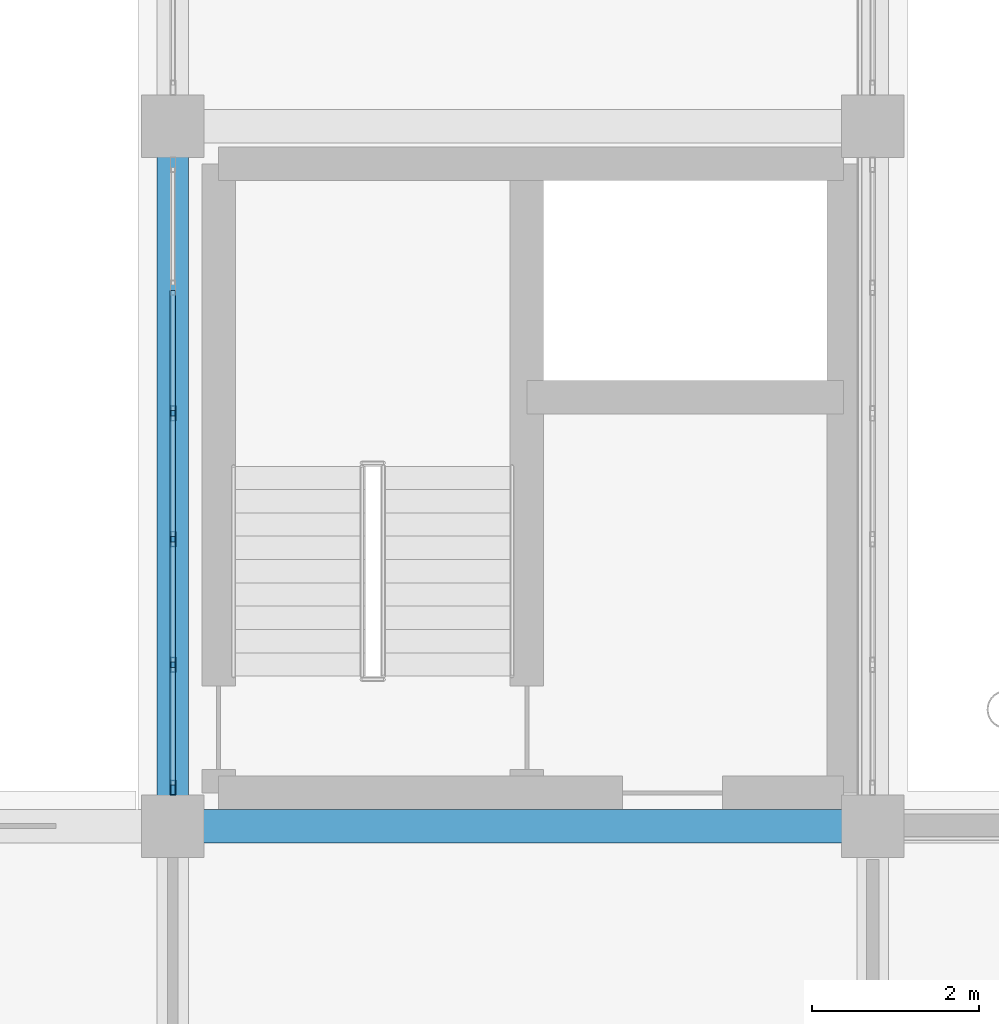
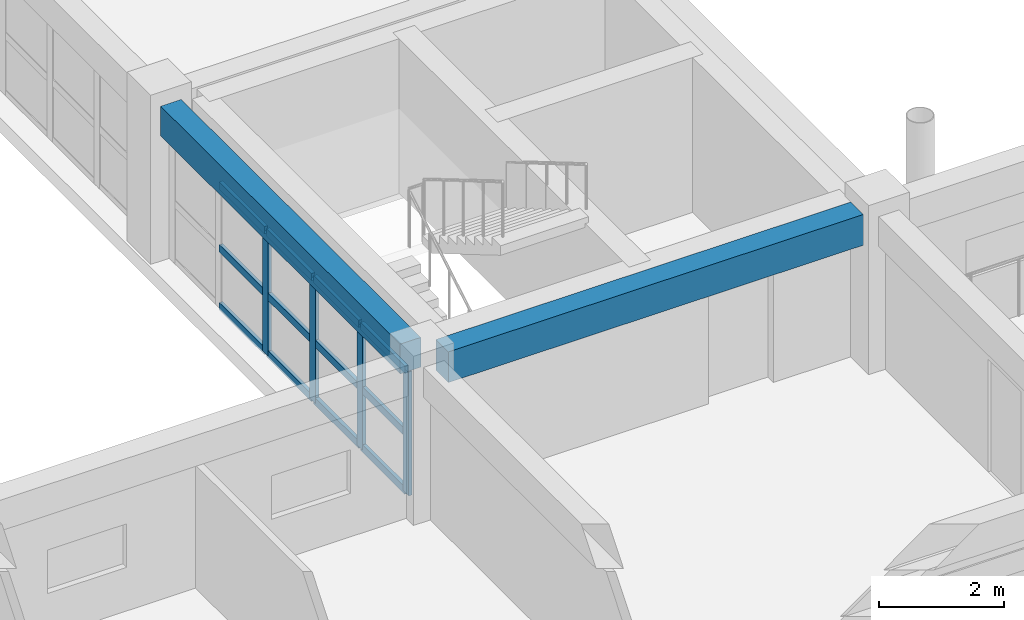
# One storey, part 125 of 200: 16 members, 2 beams, 1 element without a shape of its own.
"""IFC4 building model written with IfcOpenShell, lengths in metres."""

from ifc_helpers import new_model, si_unit, direction, frame, origin, origin_2d, place, context, subcontext, project, spatial, rectangle, hollow_rectangle, extrude, material, layer, layer_set, material_profile, profile_set, type_object, element, aggregate, save


model = new_model("IFC4")

# Units and contexts
model_context = context("Model", 3, precision=1e-05, world=origin(), true_north=direction((0.0, 1.0)))
body_context = subcontext(model_context, "Body", "Model", "MODEL_VIEW")
ifc_project = project(units=[si_unit("LENGTHUNIT", "METRE"), si_unit("AREAUNIT", "SQUARE_METRE"), si_unit("VOLUMEUNIT", "CUBIC_METRE"), si_unit("PLANEANGLEUNIT", "RADIAN"), si_unit("MASSUNIT", "GRAM", prefix="KILO")], contexts=[model_context])

# Site, building, storey
site_placement = place(None, origin())
site = spatial("IfcSite", under=ifc_project, at=site_placement, CompositionType="ELEMENT")
building_placement = place(site_placement, origin())
building = spatial("IfcBuilding", under=site, at=building_placement, Name="Trelvath General Hospital", CompositionType="ELEMENT")
storey_placement = place(building_placement, frame((0.0, 0.0, 4.800048828125)))
storey = spatial("IfcBuildingStorey", under=building, at=storey_placement, Name="L01", CompositionType="ELEMENT", Elevation=4.800048828125)

# Beams
ifc_material_1 = material(Name="Concrete C35/45", Category="concrete")
ifc_material_profile_1 = material_profile(ifc_material_1, rectangle(XDim=0.3798828125, YDim=0.580078125, at=origin_2d()), Name="RCB380x580")
ifc_profile_set_1 = profile_set([ifc_material_profile_1], Name="Concrete C35/45")
beam_type_1 = type_object("IfcBeamType", Name="Beam RC380x580", PredefinedType="BEAM", material=ifc_profile_set_1)
beam_1_placement = place(storey_placement, frame((134.39990234375, 25.570068359375, 2.72998046875), z_axis=(0.0, 1.0, 0.0), x_axis=(-1.0, 0.0, 0.0)))
element("IfcBeam", 1, at=beam_1_placement, inside=storey, type_object=beam_type_1, Name="Grid Beam BY-116D", PredefinedType="BEAM", context=body_context, shape_type="SweptSolid", body=[
    extrude(rectangle(XDim=0.3798828125, YDim=0.580078125, at=origin_2d()), origin(), (0.0, 0.0, 1.0), 7.659912109375),
])
ifc_material_2 = material(Name="Concrete C35/45", Category="concrete")
ifc_material_profile_2 = material_profile(ifc_material_2, rectangle(XDim=0.39990234375, YDim=0.60009765625, at=origin_2d()), Name="RCB400x600")
ifc_profile_set_2 = profile_set([ifc_material_profile_2], Name="Concrete C35/45")
beam_type_2 = type_object("IfcBeamType", Name="Beam RC400x600", PredefinedType="BEAM", material=ifc_profile_set_2)
beam_2_placement = place(storey_placement, frame((134.77001953125, 25.199951171875, 2.719970703125), z_axis=(1.0, 0.0, 0.0), x_axis=(0.0, 1.0, 0.0)))
element("IfcBeam", 2, at=beam_2_placement, inside=storey, type_object=beam_type_2, Name="Grid Beam BX-116D", PredefinedType="BEAM", context=body_context, shape_type="SweptSolid", body=[
    extrude(rectangle(XDim=0.39990234375, YDim=0.60009765625, at=origin_2d()), origin(), (0.0, 0.0, 1.0), 7.659912109375),
])

# Curtain wall, members
ifc_material_3 = material(Name="Anodised aluminium and low-E glass", Category="aluminium")
ifc_layer = layer(ifc_material_3, 0.179931640625)
ifc_layer_set = layer_set([ifc_layer], Name="Anodised aluminium and low-E glass")
curtain_wall_type = type_object("IfcCurtainWallType", Name="CW Facade 754 242 18", PredefinedType="USERDEFINED", material=ifc_layer_set)
curtain_wall_placement = place(storey_placement, origin())
curtain_wall = element("IfcCurtainWall", 3, at=curtain_wall_placement, inside=storey, type_object=curtain_wall_type, Name="Facade Curtain Wall CW-020", ObjectType="Unitised Glazed Curtain Wall", PredefinedType="USERDEFINED")
ifc_material_4 = material(Name="Anodised aluminium", Category="aluminium")
ifc_material_profile_3 = material_profile(ifc_material_4, hollow_rectangle(XDim=0.06494140625, YDim=0.179931640625, WallThickness=0.0048828125, at=origin_2d()), Name="RHS65x180x5")
ifc_profile_set_3 = profile_set([ifc_material_profile_3], Name="Anodised aluminium")
member_type_1 = type_object("IfcMemberType", Name="CurtainMullion 65x180", PredefinedType="MULLION", material=ifc_profile_set_3)
member_1_placement = place(storey_placement, frame((134.39990234375, 25.66259765625, 0.0), z_axis=(0.0, 0.0, 1.0), x_axis=(-1.0, 0.0, 0.0)))
member_1 = element("IfcMember", 4, at=member_1_placement, type_object=member_type_1, Name="CW-020 mullion 1", PredefinedType="MULLION", context=body_context, shape_type="SweptSolid", body=[
    extrude(hollow_rectangle(XDim=0.06494140625, YDim=0.179931640625, WallThickness=0.0048828125, at=origin_2d()), origin(), (0.0, 0.0, 1.0), 2.419921875),
])
member_2_placement = place(storey_placement, frame((134.39990234375, 27.137939453125, 0.0), z_axis=(0.0, 0.0, 1.0), x_axis=(-1.0, 0.0, 0.0)))
member_2 = element("IfcMember", 5, at=member_2_placement, type_object=member_type_1, Name="CW-020 mullion 2", PredefinedType="MULLION", context=body_context, shape_type="SweptSolid", body=[
    extrude(hollow_rectangle(XDim=0.06494140625, YDim=0.179931640625, WallThickness=0.0048828125, at=origin_2d()), origin(), (0.0, 0.0, 1.0), 2.419921875),
])
member_3_placement = place(storey_placement, frame((134.39990234375, 28.64599609375, 0.0), z_axis=(0.0, 0.0, 1.0), x_axis=(-1.0, 0.0, 0.0)))
member_3 = element("IfcMember", 6, at=member_3_placement, type_object=member_type_1, Name="CW-020 mullion 3", PredefinedType="MULLION", context=body_context, shape_type="SweptSolid", body=[
    extrude(hollow_rectangle(XDim=0.06494140625, YDim=0.179931640625, WallThickness=0.0048828125, at=origin_2d()), origin(), (0.0, 0.0, 1.0), 2.419921875),
])
member_4_placement = place(storey_placement, frame((134.39990234375, 30.154052734375, 0.0), z_axis=(0.0, 0.0, 1.0), x_axis=(-1.0, 0.0, 0.0)))
member_4 = element("IfcMember", 7, at=member_4_placement, type_object=member_type_1, Name="CW-020 mullion 4", PredefinedType="MULLION", context=body_context, shape_type="SweptSolid", body=[
    extrude(hollow_rectangle(XDim=0.06494140625, YDim=0.179931640625, WallThickness=0.0048828125, at=origin_2d()), origin(), (0.0, 0.0, 1.0), 2.419921875),
])
ifc_material_5 = material(Name="Anodised aluminium", Category="aluminium")
ifc_material_profile_4 = material_profile(ifc_material_5, hollow_rectangle(XDim=0.06494140625, YDim=0.14501953125, WallThickness=0.00390625, at=origin_2d()), Name="RHS65x145x4")
ifc_profile_set_4 = profile_set([ifc_material_profile_4], Name="Anodised aluminium")
member_type_2 = type_object("IfcMemberType", Name="CurtainTransom 65x145", PredefinedType="USERDEFINED", material=ifc_profile_set_4)
member_5_placement = place(storey_placement, frame((134.39990234375, 25.695068359375, 0.032470703125), z_axis=(0.0, 1.0, 0.0), x_axis=(-1.0, 0.0, 0.0)))
member_5 = element("IfcMember", 8, at=member_5_placement, type_object=member_type_2, Name="CW-020 transom 1.1", ObjectType="TRANSOM", PredefinedType="USERDEFINED", context=body_context, shape_type="SweptSolid", body=[
    extrude(hollow_rectangle(XDim=0.06494140625, YDim=0.14501953125, WallThickness=0.00390625, at=origin_2d()), origin(), (0.0, 0.0, 1.0), 1.410400390625),
])
member_6_placement = place(storey_placement, frame((134.39990234375, 25.695068359375, 1.161865234375), z_axis=(0.0, 1.0, 0.0), x_axis=(-1.0, 0.0, 0.0)))
member_6 = element("IfcMember", 9, at=member_6_placement, type_object=member_type_2, Name="CW-020 transom 1.2", ObjectType="TRANSOM", PredefinedType="USERDEFINED", context=body_context, shape_type="SweptSolid", body=[
    extrude(hollow_rectangle(XDim=0.06494140625, YDim=0.14501953125, WallThickness=0.00390625, at=origin_2d()), origin(), (0.0, 0.0, 1.0), 1.410400390625),
])
member_7_placement = place(storey_placement, frame((134.39990234375, 25.695068359375, 2.387451171875), z_axis=(0.0, 1.0, 0.0), x_axis=(-1.0, 0.0, 0.0)))
member_7 = element("IfcMember", 10, at=member_7_placement, type_object=member_type_2, Name="CW-020 transom 1.3", ObjectType="TRANSOM", PredefinedType="USERDEFINED", context=body_context, shape_type="SweptSolid", body=[
    extrude(hollow_rectangle(XDim=0.06494140625, YDim=0.14501953125, WallThickness=0.00390625, at=origin_2d()), origin(), (0.0, 0.0, 1.0), 1.410400390625),
])
member_8_placement = place(storey_placement, frame((134.39990234375, 27.17041015625, 0.032470703125), z_axis=(0.0, 1.0, 0.0), x_axis=(-1.0, 0.0, 0.0)))
member_8 = element("IfcMember", 11, at=member_8_placement, type_object=member_type_2, Name="CW-020 transom 2.1", ObjectType="TRANSOM", PredefinedType="USERDEFINED", context=body_context, shape_type="SweptSolid", body=[
    extrude(hollow_rectangle(XDim=0.06494140625, YDim=0.14501953125, WallThickness=0.00390625, at=origin_2d()), origin(), (0.0, 0.0, 1.0), 1.443115234375),
])
member_9_placement = place(storey_placement, frame((134.39990234375, 27.17041015625, 1.161865234375), z_axis=(0.0, 1.0, 0.0), x_axis=(-1.0, 0.0, 0.0)))
member_9 = element("IfcMember", 12, at=member_9_placement, type_object=member_type_2, Name="CW-020 transom 2.2", ObjectType="TRANSOM", PredefinedType="USERDEFINED", context=body_context, shape_type="SweptSolid", body=[
    extrude(hollow_rectangle(XDim=0.06494140625, YDim=0.14501953125, WallThickness=0.00390625, at=origin_2d()), origin(), (0.0, 0.0, 1.0), 1.443115234375),
])
member_10_placement = place(storey_placement, frame((134.39990234375, 27.17041015625, 2.387451171875), z_axis=(0.0, 1.0, 0.0), x_axis=(-1.0, 0.0, 0.0)))
member_10 = element("IfcMember", 13, at=member_10_placement, type_object=member_type_2, Name="CW-020 transom 2.3", ObjectType="TRANSOM", PredefinedType="USERDEFINED", context=body_context, shape_type="SweptSolid", body=[
    extrude(hollow_rectangle(XDim=0.06494140625, YDim=0.14501953125, WallThickness=0.00390625, at=origin_2d()), origin(), (0.0, 0.0, 1.0), 1.443115234375),
])
member_11_placement = place(storey_placement, frame((134.39990234375, 28.678466796875, 0.032470703125), z_axis=(0.0, 1.0, 0.0), x_axis=(-1.0, 0.0, 0.0)))
member_11 = element("IfcMember", 14, at=member_11_placement, type_object=member_type_2, Name="CW-020 transom 3.1", ObjectType="TRANSOM", PredefinedType="USERDEFINED", context=body_context, shape_type="SweptSolid", body=[
    extrude(hollow_rectangle(XDim=0.06494140625, YDim=0.14501953125, WallThickness=0.00390625, at=origin_2d()), origin(), (0.0, 0.0, 1.0), 1.443115234375),
])
member_12_placement = place(storey_placement, frame((134.39990234375, 28.678466796875, 1.161865234375), z_axis=(0.0, 1.0, 0.0), x_axis=(-1.0, 0.0, 0.0)))
member_12 = element("IfcMember", 15, at=member_12_placement, type_object=member_type_2, Name="CW-020 transom 3.2", ObjectType="TRANSOM", PredefinedType="USERDEFINED", context=body_context, shape_type="SweptSolid", body=[
    extrude(hollow_rectangle(XDim=0.06494140625, YDim=0.14501953125, WallThickness=0.00390625, at=origin_2d()), origin(), (0.0, 0.0, 1.0), 1.443115234375),
])
member_13_placement = place(storey_placement, frame((134.39990234375, 28.678466796875, 2.387451171875), z_axis=(0.0, 1.0, 0.0), x_axis=(-1.0, 0.0, 0.0)))
member_13 = element("IfcMember", 16, at=member_13_placement, type_object=member_type_2, Name="CW-020 transom 3.3", ObjectType="TRANSOM", PredefinedType="USERDEFINED", context=body_context, shape_type="SweptSolid", body=[
    extrude(hollow_rectangle(XDim=0.06494140625, YDim=0.14501953125, WallThickness=0.00390625, at=origin_2d()), origin(), (0.0, 0.0, 1.0), 1.443115234375),
])
member_14_placement = place(storey_placement, frame((134.39990234375, 30.1865234375, 0.032470703125), z_axis=(0.0, 1.0, 0.0), x_axis=(-1.0, 0.0, 0.0)))
member_14 = element("IfcMember", 17, at=member_14_placement, type_object=member_type_2, Name="CW-020 transom 4.1", ObjectType="TRANSOM", PredefinedType="USERDEFINED", context=body_context, shape_type="SweptSolid", body=[
    extrude(hollow_rectangle(XDim=0.06494140625, YDim=0.14501953125, WallThickness=0.00390625, at=origin_2d()), origin(), (0.0, 0.0, 1.0), 1.44287109375),
])
member_15_placement = place(storey_placement, frame((134.39990234375, 30.1865234375, 1.161865234375), z_axis=(0.0, 1.0, 0.0), x_axis=(-1.0, 0.0, 0.0)))
member_15 = element("IfcMember", 18, at=member_15_placement, type_object=member_type_2, Name="CW-020 transom 4.2", ObjectType="TRANSOM", PredefinedType="USERDEFINED", context=body_context, shape_type="SweptSolid", body=[
    extrude(hollow_rectangle(XDim=0.06494140625, YDim=0.14501953125, WallThickness=0.00390625, at=origin_2d()), origin(), (0.0, 0.0, 1.0), 1.44287109375),
])
member_16_placement = place(storey_placement, frame((134.39990234375, 30.1865234375, 2.387451171875), z_axis=(0.0, 1.0, 0.0), x_axis=(-1.0, 0.0, 0.0)))
member_16 = element("IfcMember", 19, at=member_16_placement, type_object=member_type_2, Name="CW-020 transom 4.3", ObjectType="TRANSOM", PredefinedType="USERDEFINED", context=body_context, shape_type="SweptSolid", body=[
    extrude(hollow_rectangle(XDim=0.06494140625, YDim=0.14501953125, WallThickness=0.00390625, at=origin_2d()), origin(), (0.0, 0.0, 1.0), 1.44287109375),
])
aggregate(curtain_wall, [member_1, member_2, member_3, member_4, member_5, member_6, member_7, member_8, member_9, member_10, member_11, member_12, member_13, member_14, member_15, member_16])

save(model, "model.ifc")
